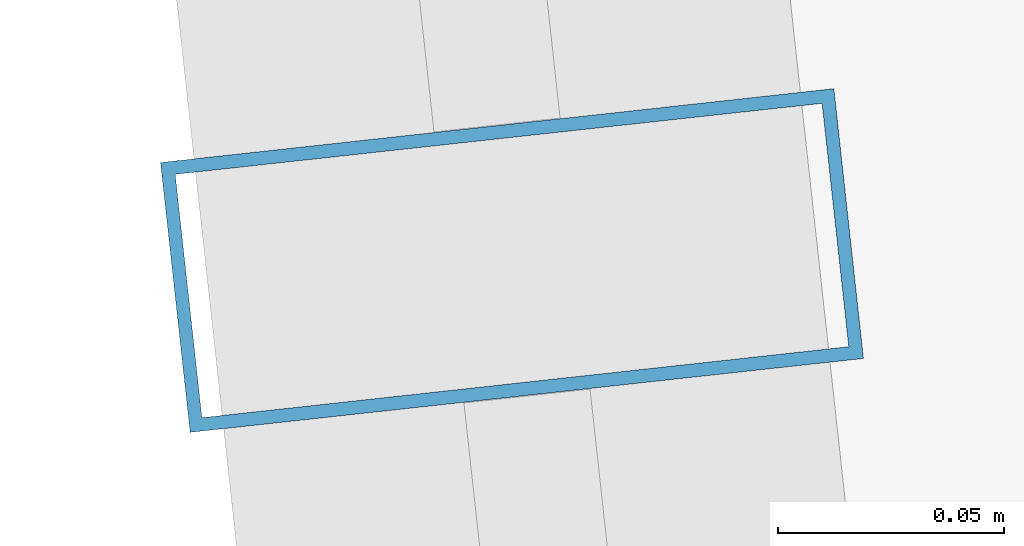
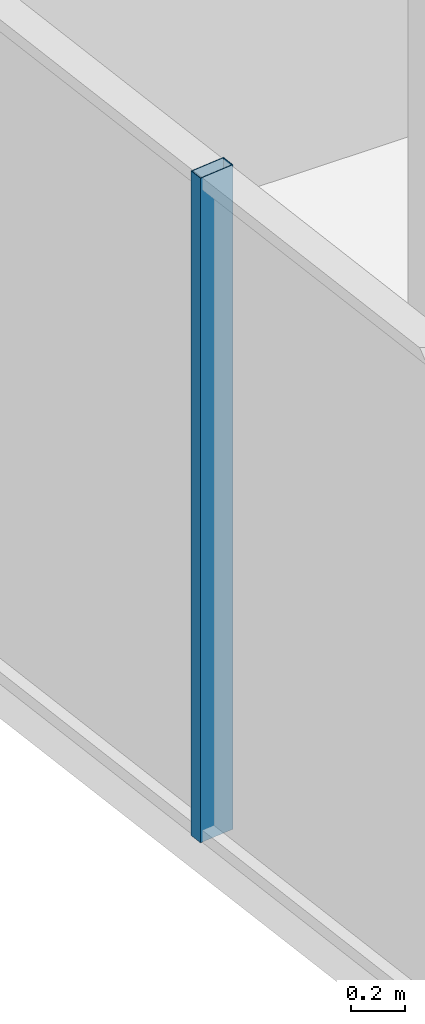
# One storey, part 10 of 32: 1 member, 1 element without a shape of its own.
"""IFC4 building model written with IfcOpenShell, lengths in metres."""

from ifc_helpers import new_model, si_unit, direction, frame, origin, origin_2d, place, context, subcontext, project, spatial, hollow_rectangle, extrude, source, transform, mapped, material, layer, layer_set, material_profile, profile_set, type_object, element, aggregate, save


model = new_model("IFC4")

# Units and contexts
model_context = context("Model", 3, precision=1e-05, world=origin(), true_north=direction((0.0, 1.0)))
body_context = subcontext(model_context, "Body", "Model", "MODEL_VIEW")
ifc_project = project(units=[si_unit("LENGTHUNIT", "METRE"), si_unit("AREAUNIT", "SQUARE_METRE"), si_unit("VOLUMEUNIT", "CUBIC_METRE"), si_unit("PLANEANGLEUNIT", "RADIAN"), si_unit("MASSUNIT", "GRAM", prefix="KILO")], contexts=[model_context])

# Site, building, storey
site_placement = place(None, origin())
site = spatial("IfcSite", under=ifc_project, at=site_placement, CompositionType="ELEMENT")
building_placement = place(site_placement, origin())
building = spatial("IfcBuilding", under=site, at=building_placement, Name="Veraguas Prism Commons", CompositionType="ELEMENT")
storey_placement = place(building_placement, frame((0.0, 0.0, 185.35009765625)))
storey = spatial("IfcBuildingStorey", under=building, at=storey_placement, Name="L52", CompositionType="ELEMENT", Elevation=185.35009765625)

# Curtain wall, member
ifc_material = material(Name="Anodised aluminium EN AW-6063 T6", Category="aluminium")
ifc_layer = layer(ifc_material, 0.14990234375, Name="Unitised Flush Curtain Wall Zone 3", Category="aluminium")
ifc_layer_set = layer_set([ifc_layer], Name="Anodised aluminium EN AW-6063 T6")
curtain_wall_type = type_object("IfcCurtainWallType", Name="Unitised Flush Curtain Wall Zone 3", PredefinedType="NOTDEFINED", material=ifc_layer_set)
curtain_wall_placement = place(storey_placement, origin())
curtain_wall = element("IfcCurtainWall", 1, at=curtain_wall_placement, inside=storey, type_object=curtain_wall_type, Name="Tower Facade Curtain Wall L52-F3", PredefinedType="NOTDEFINED")
ifc_material_profile = material_profile(ifc_material, hollow_rectangle(XDim=0.06005859375, YDim=0.14990234375, WallThickness=0.0029296875, at=origin_2d()), Name="AL60X150X3")
ifc_profile_set = profile_set([ifc_material_profile], Name="Anodised aluminium EN AW-6063 T6")
member_type = type_object("IfcMemberType", Name="Curtain Wall Mullion Upper AL 60x150x3", PredefinedType="MULLION", material=ifc_profile_set)
shared_shape = source(origin(), body_context, "Body", "SweptSolid", [
    extrude(hollow_rectangle(XDim=0.06005859375, YDim=0.14990234375, WallThickness=0.0029296875, at=origin_2d()), origin(), (0.0, 0.0, 1.0), 3.014892578125),
])
member_placement = place(storey_placement, frame((6.395263671875, 22.06884765625, 0.0), z_axis=(0.0, 0.0, 1.0), x_axis=(0.109045573519, -0.99403675128, 0.0)))
member = element("IfcMember", 2, at=member_placement, type_object=member_type, Name="CW-Z3 Mullion 3", PredefinedType="MULLION", context=body_context, shape_type="MappedRepresentation", body=[
    mapped(shared_shape, transform((0.0, 0.0, 0.0), scale=1.0)),
])
aggregate(curtain_wall, [member])

save(model, "model.ifc")
